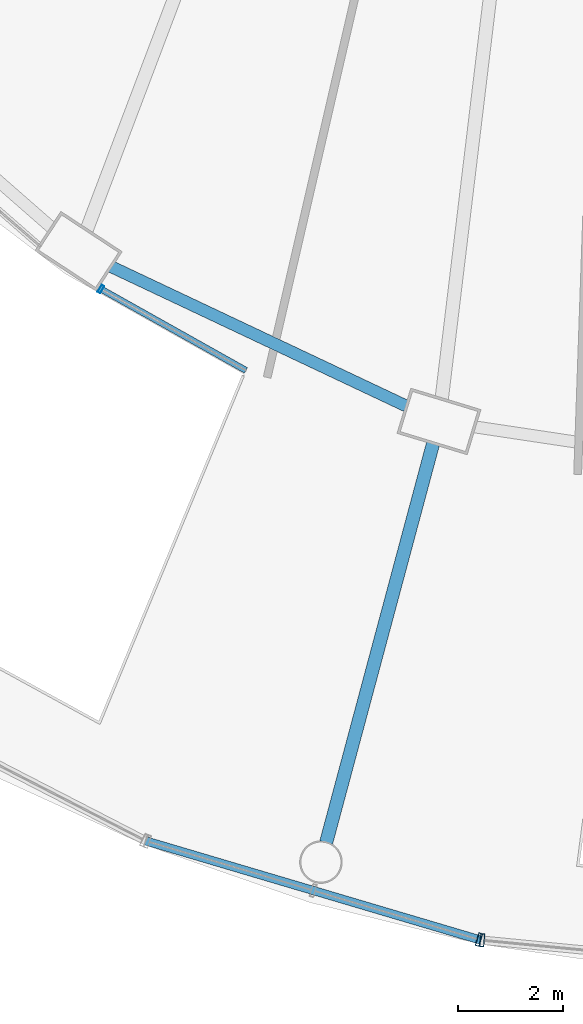
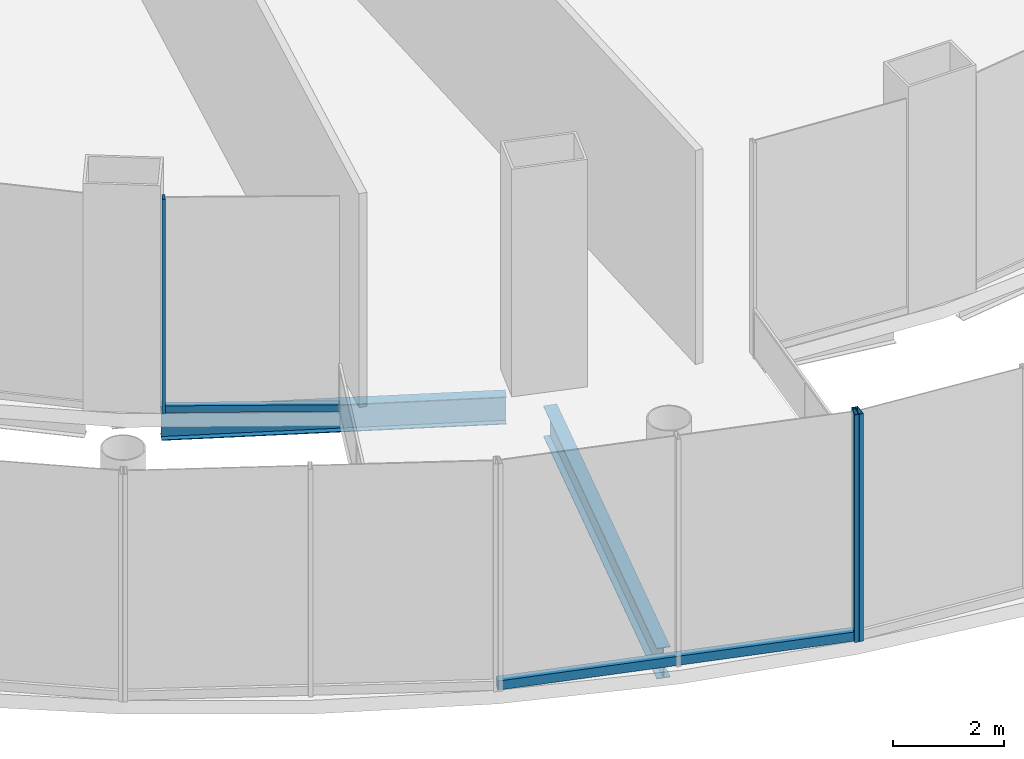
# One storey, part 4 of 48: 5 members, 2 beams, 3 elements without a shape of their own.
"""IFC4 building model written with IfcOpenShell, lengths in metres."""

from ifc_helpers import new_model, si_unit, direction, frame, origin, origin_2d, place, context, subcontext, project, spatial, hollow_rectangle, i_section, extrude, material, layer, layer_set, material_profile, profile_set, type_object, element, aggregate, save


model = new_model("IFC4")

# Units and contexts
model_context = context("Model", 3, precision=1e-05, world=origin(), true_north=direction((0.0, 1.0)))
body_context = subcontext(model_context, "Body", "Model", "MODEL_VIEW")
ifc_project = project(units=[si_unit("LENGTHUNIT", "METRE"), si_unit("AREAUNIT", "SQUARE_METRE"), si_unit("VOLUMEUNIT", "CUBIC_METRE"), si_unit("PLANEANGLEUNIT", "RADIAN"), si_unit("MASSUNIT", "GRAM", prefix="KILO")], contexts=[model_context])

# Site, building, storey
site_placement = place(None, origin())
site = spatial("IfcSite", under=ifc_project, at=site_placement, CompositionType="ELEMENT")
building_placement = place(site_placement, origin())
building = spatial("IfcBuilding", under=site, at=building_placement, Name="Nagisa Residences", CompositionType="ELEMENT")
storey_placement = place(building_placement, frame((0.0, 0.0, 12.0)))
storey = spatial("IfcBuildingStorey", under=building, at=storey_placement, Name="L02", CompositionType="ELEMENT", Elevation=12.0)

# Beam
ifc_material_1 = material(Name="Steel ASTM A572 Gr 50", Category="steel")
ifc_material_profile_1 = material_profile(ifc_material_1, i_section(OverallWidth=0.2529296875, OverallDepth=0.677978515625, WebThickness=0.01171875, FlangeThickness=0.016357421875, at=origin_2d()), Name="W690x125")
ifc_profile_set_1 = profile_set([ifc_material_profile_1], Name="Steel ASTM A572 Gr 50")
beam_type_1 = type_object("IfcBeamType", Name="Atrium bridge beam W690x125", PredefinedType="BEAM", material=ifc_profile_set_1)
beam_1_placement = place(storey_placement, frame((-3.8876953125, -31.80810546875, -0.638916015625), z_axis=(-0.258809356376, -0.965928422324, 0.0), x_axis=(0.965928422324, -0.258809356376, 0.0)))
element("IfcBeam", 1, at=beam_1_placement, inside=storey, type_object=beam_type_1, Name="beam:L02:br18", PredefinedType="BEAM", context=body_context, shape_type="SweptSolid", body=[
    extrude(i_section(OverallWidth=0.2529296875, OverallDepth=0.677978515625, WebThickness=0.01171875, FlangeThickness=0.016357421875, at=origin_2d()), origin(), (0.0, 0.0, 1.0), 7.88330078125),
])

# Curtain wall, member
ifc_material_2 = material(Name="Stainless steel curtain wall system", Category="steel")
ifc_layer_1 = layer(ifc_material_2, 0.159912109375)
ifc_layer_set_1 = layer_set([ifc_layer_1], Name="CW3 CURTAIN WALL")
curtain_wall_type_1 = type_object("IfcCurtainWallType", Name="CW3 CURTAIN WALL", PredefinedType="NOTDEFINED", material=ifc_layer_set_1)
curtain_wall_1_placement = place(storey_placement, origin())
curtain_wall_1 = element("IfcCurtainWall", 2, at=curtain_wall_1_placement, inside=storey, type_object=curtain_wall_type_1, Name="cw:CW3:L02:25", PredefinedType="NOTDEFINED")
ifc_material_3 = material(Name="Stainless steel", Category="steel")
ifc_material_profile_2 = material_profile(ifc_material_3, hollow_rectangle(XDim=0.25, YDim=0.080078125, WallThickness=0.008056640625, at=origin_2d()), Name="CW3 MULLION 250x80")
ifc_profile_set_2 = profile_set([ifc_material_profile_2], Name="Stainless steel")
member_type_1 = type_object("IfcMemberType", Name="CW3 MULLION 250x80", PredefinedType="MULLION", material=ifc_profile_set_2)
member_1_placement = place(storey_placement, frame((-3.01416015625, -41.27392578125, 0.0), z_axis=(0.0, 0.0, 1.0), x_axis=(0.283963226669, 0.958835171393, 0.0)))
member_1 = element("IfcMember", 3, at=member_1_placement, type_object=member_type_1, Name="CW3 mullion", PredefinedType="MULLION", context=body_context, shape_type="SweptSolid", body=[
    extrude(hollow_rectangle(XDim=0.25, YDim=0.080078125, WallThickness=0.008056640625, at=origin_2d()), origin(), (0.0, 0.0, 1.0), 5.0),
])

curtain_wall_2_placement = place(storey_placement, origin())
curtain_wall_2 = element("IfcCurtainWall", 4, at=curtain_wall_2_placement, inside=storey, type_object=curtain_wall_type_1, Name="cw:CW3:L02:26", PredefinedType="NOTDEFINED")
member_2_placement = place(storey_placement, frame((-2.951171875, -41.2861328125, 0.0), z_axis=(0.0, 0.0, 1.0), x_axis=(0.096249055035, 0.995357282289, 0.0)))
member_2 = element("IfcMember", 5, at=member_2_placement, type_object=member_type_1, Name="CW3 mullion", PredefinedType="MULLION", context=body_context, shape_type="SweptSolid", body=[
    extrude(hollow_rectangle(XDim=0.25, YDim=0.080078125, WallThickness=0.008056640625, at=origin_2d()), origin(), (0.0, 0.0, 1.0), 5.0),
])
aggregate(curtain_wall_2, [member_2])

# Member
ifc_material_4 = material(Name="Stainless steel", Category="steel")
ifc_material_profile_3 = material_profile(ifc_material_4, hollow_rectangle(XDim=0.159912109375, YDim=0.199951171875, WallThickness=0.008056640625, at=origin_2d()), Name="CW3 TRANSOM 160x200")
ifc_profile_set_3 = profile_set([ifc_material_profile_3], Name="Stainless steel")
member_type_2 = type_object("IfcMemberType", Name="CW3 TRANSOM 160x200", PredefinedType="USERDEFINED", material=ifc_profile_set_3)
member_3_placement = place(storey_placement, frame((-9.3740234375, -39.390380859375, 0.10009765625), z_axis=(0.958838335071, -0.283952543919, 0.0), x_axis=(0.283952543919, 0.958838335071, 0.0)))
member_3 = element("IfcMember", 6, at=member_3_placement, type_object=member_type_2, Name="CW3 transom", ObjectType="TRANSOM", PredefinedType="USERDEFINED", context=body_context, shape_type="SweptSolid", body=[
    extrude(hollow_rectangle(XDim=0.159912109375, YDim=0.199951171875, WallThickness=0.008056640625, at=origin_2d()), origin(), (0.0, 0.0, 1.0), 6.6728515625),
])

aggregate(curtain_wall_1, [member_1, member_3])

# Curtain wall, members
ifc_material_5 = material(Name="Stainless steel curtain wall system", Category="steel")
ifc_layer_2 = layer(ifc_material_5, 0.159912109375)
ifc_layer_set_2 = layer_set([ifc_layer_2], Name="CW6 CURTAIN WALL")
curtain_wall_type_2 = type_object("IfcCurtainWallType", Name="CW6 CURTAIN WALL", PredefinedType="NOTDEFINED", material=ifc_layer_set_2)
curtain_wall_3_placement = place(storey_placement, origin())
curtain_wall_3 = element("IfcCurtainWall", 7, at=curtain_wall_3_placement, inside=storey, type_object=curtain_wall_type_2, Name="cw:CW6:L02:32", PredefinedType="NOTDEFINED")
ifc_material_6 = material(Name="Stainless steel", Category="steel")
ifc_material_profile_4 = material_profile(ifc_material_6, hollow_rectangle(XDim=0.159912109375, YDim=0.06005859375, WallThickness=0.006103515625, at=origin_2d()), Name="CW6 MULLION 160x60")
ifc_profile_set_4 = profile_set([ifc_material_profile_4], Name="Stainless steel")
member_type_3 = type_object("IfcMemberType", Name="CW6 MULLION 160x60", PredefinedType="MULLION", material=ifc_profile_set_4)
member_4_placement = place(storey_placement, frame((-10.22412109375, -28.8662109375, 0.0), z_axis=(0.0, 0.0, 1.0), x_axis=(0.489376918501, 0.872072377523, 0.0)))
member_4 = element("IfcMember", 8, at=member_4_placement, type_object=member_type_3, Name="CW6 mullion", PredefinedType="MULLION", context=body_context, shape_type="SweptSolid", body=[
    extrude(hollow_rectangle(XDim=0.159912109375, YDim=0.06005859375, WallThickness=0.006103515625, at=origin_2d()), origin(), (0.0, 0.0, 1.0), 4.699951171875),
])
ifc_material_7 = material(Name="Stainless steel", Category="steel")
ifc_material_profile_5 = material_profile(ifc_material_7, hollow_rectangle(XDim=0.1201171875, YDim=0.14990234375, WallThickness=0.008056640625, at=origin_2d()), Name="CW6 TRANSOM 120x150")
ifc_profile_set_5 = profile_set([ifc_material_profile_5], Name="Stainless steel")
member_type_4 = type_object("IfcMemberType", Name="CW6 TRANSOM 120x150", PredefinedType="USERDEFINED", material=ifc_profile_set_5)
member_5_placement = place(storey_placement, frame((-10.25048828125, -28.8515625, 0.074951171875), z_axis=(0.872070011948, -0.489381133946, 0.0), x_axis=(0.489381133946, 0.872070011948, 0.0)))
member_5 = element("IfcMember", 9, at=member_5_placement, type_object=member_type_4, Name="CW6 transom", ObjectType="TRANSOM", PredefinedType="USERDEFINED", context=body_context, shape_type="SweptSolid", body=[
    extrude(hollow_rectangle(XDim=0.1201171875, YDim=0.14990234375, WallThickness=0.008056640625, at=origin_2d()), origin(), (0.0, 0.0, 1.0), 3.201171875),
])
aggregate(curtain_wall_3, [member_4, member_5])

# Beam
ifc_material_8 = material(Name="Steel ASTM A572 Gr 50", Category="steel")
ifc_material_profile_6 = material_profile(ifc_material_8, i_section(OverallWidth=0.22802734375, OverallDepth=0.60302734375, WebThickness=0.010498046875, FlangeThickness=0.014892578125, at=origin_2d()), Name="W610x101")
ifc_profile_set_6 = profile_set([ifc_material_profile_6], Name="Steel ASTM A572 Gr 50")
beam_type_2 = type_object("IfcBeamType", Name="Perimeter ring beam W610x101", PredefinedType="BEAM", material=ifc_profile_set_6)
beam_2_placement = place(storey_placement, frame((-10.02880859375, -28.439208984375, -0.6015625), z_axis=(0.904208275867, -0.427091786216, 0.0), x_axis=(0.427091786216, 0.904208275867, 0.0)))
element("IfcBeam", 10, at=beam_2_placement, inside=storey, type_object=beam_type_2, Name="beam:L02:pb17", PredefinedType="BEAM", context=body_context, shape_type="SweptSolid", body=[
    extrude(i_section(OverallWidth=0.22802734375, OverallDepth=0.60302734375, WebThickness=0.010498046875, FlangeThickness=0.014892578125, at=origin_2d()), origin(), (0.0, 0.0, 1.0), 6.227294921875),
])

save(model, "model.ifc")
